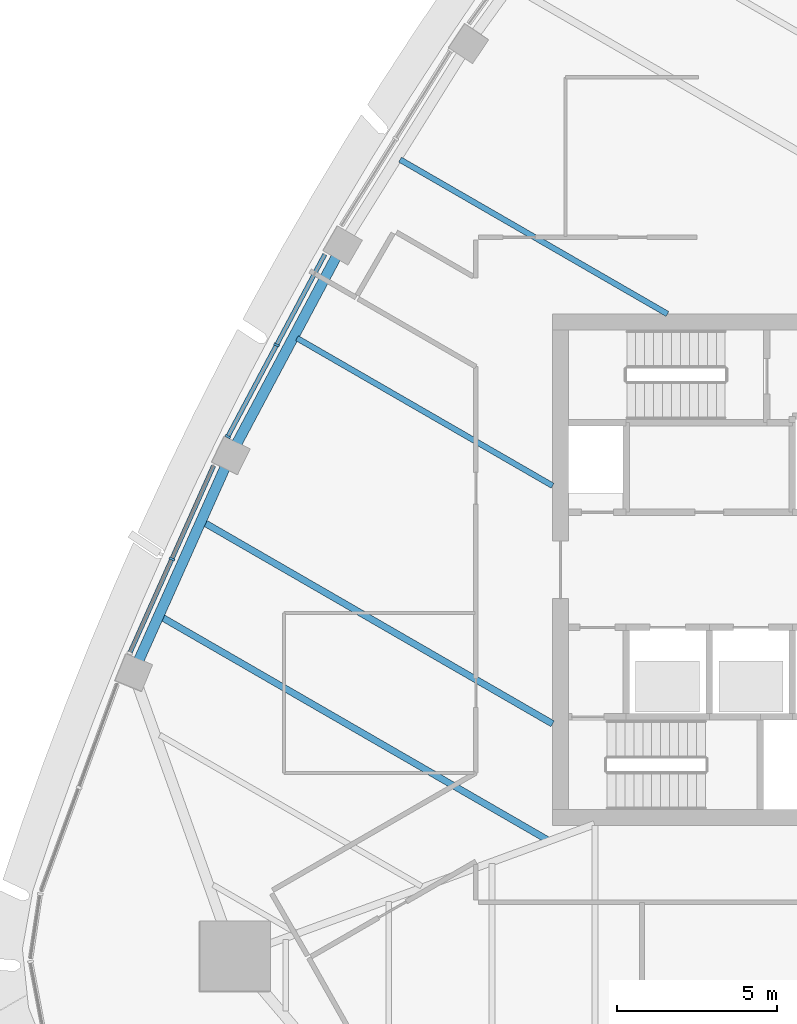
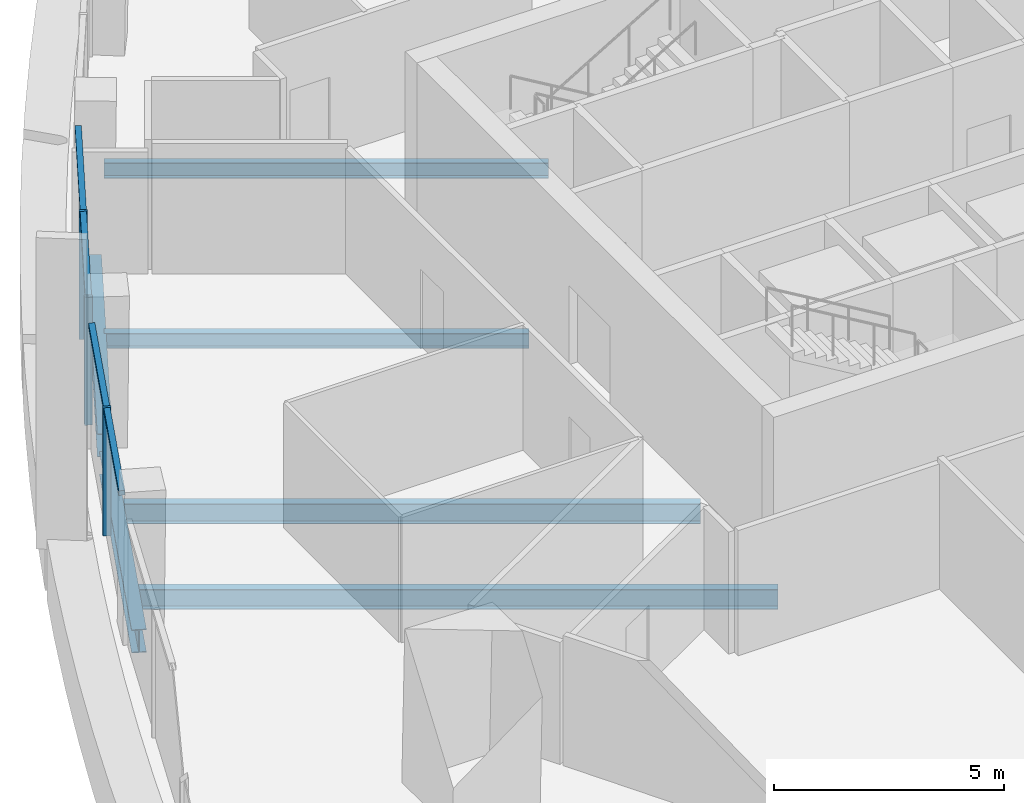
# One storey, part 3 of 18: 7 members, 6 beams, 2 elements without a shape of their own.
"""IFC4 building model written with IfcOpenShell, lengths in metres."""

from ifc_helpers import new_model, si_unit, direction, frame, origin, origin_2d, place, context, subcontext, project, spatial, rectangle, i_section, extrude, material, layer, layer_set, material_profile, profile_set, type_object, element, aggregate, save


model = new_model("IFC4")

# Units and contexts
model_context = context("Model", 3, precision=1e-05, world=origin(), true_north=direction((0.0, 1.0)))
body_context = subcontext(model_context, "Body", "Model", "MODEL_VIEW")
ifc_project = project(units=[si_unit("LENGTHUNIT", "METRE"), si_unit("AREAUNIT", "SQUARE_METRE"), si_unit("VOLUMEUNIT", "CUBIC_METRE"), si_unit("PLANEANGLEUNIT", "RADIAN"), si_unit("MASSUNIT", "GRAM", prefix="KILO")], contexts=[model_context])

# Site, building, storey
site_placement = place(None, origin())
site = spatial("IfcSite", under=ifc_project, at=site_placement, CompositionType="ELEMENT")
building_placement = place(site_placement, origin())
building = spatial("IfcBuilding", under=site, at=building_placement, Name="Sierra Prisma Convention Tower", CompositionType="ELEMENT")
storey_placement = place(building_placement, frame((0.0, 0.0, 279.0)))
storey = spatial("IfcBuildingStorey", under=building, at=storey_placement, Name="L63", CompositionType="ELEMENT", Elevation=279.0)

# Curtain wall, members
ifc_material_1 = material(Name="Aluminium and glass curtain wall", Category="aluminium")
ifc_layer = layer(ifc_material_1, 0.179931640625)
ifc_layer_set = layer_set([ifc_layer], Name="CW-1 Plain shaft curtain wall")
curtain_wall_type = type_object("IfcCurtainWallType", Name="CW-1 Plain shaft curtain wall", PredefinedType="NOTDEFINED", material=ifc_layer_set)
curtain_wall_1_placement = place(storey_placement, origin())
curtain_wall_1 = element("IfcCurtainWall", 1, at=curtain_wall_1_placement, inside=storey, type_object=curtain_wall_type, Name="CW-1 NW4 L63", PredefinedType="NOTDEFINED")
ifc_material_2 = material(Name="Aluminium 6063-T6 bronze anodised", Category="aluminium")
ifc_material_profile_1 = material_profile(ifc_material_2, rectangle(XDim=0.179931640625, YDim=0.070068359375, at=origin_2d()), Name="ALU MULLION 70x180")
ifc_profile_set_1 = profile_set([ifc_material_profile_1], Name="Aluminium 6063-T6 bronze anodised")
member_type_1 = type_object("IfcMemberType", Name="CW mullion bronze", PredefinedType="MULLION", material=ifc_profile_set_1)
member_1_placement = place(storey_placement, frame((-19.63134765625, 7.030029296875, 0.0), z_axis=(0.0, 0.0, 1.0), x_axis=(0.882685652189, -0.469963870335, 0.0)))
member_1 = element("IfcMember", 2, at=member_1_placement, type_object=member_type_1, Name="CW-1 mullion NW4.2", PredefinedType="MULLION", context=body_context, shape_type="SweptSolid", body=[
    extrude(rectangle(XDim=0.179931640625, YDim=0.070068359375, at=origin_2d()), origin(), (0.0, 0.0, 1.0), 3.39990234375),
])
member_2_placement = place(storey_placement, frame((-21.15625, 4.166015625, 0.0), z_axis=(0.0, 0.0, 1.0), x_axis=(0.882685652189, -0.469963870335, 0.0)))
member_2 = element("IfcMember", 3, at=member_2_placement, type_object=member_type_1, Name="CW-1 mullion NW4.3", PredefinedType="MULLION", context=body_context, shape_type="SweptSolid", body=[
    extrude(rectangle(XDim=0.179931640625, YDim=0.070068359375, at=origin_2d()), origin(), (0.0, 0.0, 1.0), 3.39990234375),
])

# Curtain wall, member
curtain_wall_2_placement = place(storey_placement, origin())
curtain_wall_2 = element("IfcCurtainWall", 4, at=curtain_wall_2_placement, inside=storey, type_object=curtain_wall_type, Name="CW-1 NW5 L63", PredefinedType="NOTDEFINED")
member_3_placement = place(storey_placement, frame((-22.906005859375, 0.3369140625, 0.0), z_axis=(0.0, 0.0, 1.0), x_axis=(0.912863722764, -0.408264404108, 0.0)))
member_3 = element("IfcMember", 5, at=member_3_placement, type_object=member_type_1, Name="CW-1 mullion NW5.2", PredefinedType="MULLION", context=body_context, shape_type="SweptSolid", body=[
    extrude(rectangle(XDim=0.179931640625, YDim=0.070068359375, at=origin_2d()), origin(), (0.0, 0.0, 1.0), 3.39990234375),
])

# Member
ifc_material_3 = material(Name="Aluminium 6063-T6 bronze anodised", Category="aluminium")
ifc_material_profile_2 = material_profile(ifc_material_3, rectangle(XDim=0.139892578125, YDim=0.1201171875, at=origin_2d()), Name="ALU TRANSOM 120x140")
ifc_profile_set_2 = profile_set([ifc_material_profile_2], Name="Aluminium 6063-T6 bronze anodised")
member_type_2 = type_object("IfcMemberType", Name="CW transom bronze", PredefinedType="USERDEFINED", material=ifc_profile_set_2)
member_4_placement = place(storey_placement, frame((-18.122802734375, 9.863037109375, 3.340087890625), z_axis=(-0.469953465277, -0.882691192023, 0.0), x_axis=(0.882691192023, -0.469953465277, 0.0)))
member_4 = element("IfcMember", 6, at=member_4_placement, type_object=member_type_2, Name="CW-1 transom NW4.1", ObjectType="TRANSOM", PredefinedType="USERDEFINED", context=body_context, shape_type="SweptSolid", body=[
    extrude(rectangle(XDim=0.139892578125, YDim=0.1201171875, at=origin_2d()), origin(), (0.0, 0.0, 1.0), 3.174560546875),
])

member_5_placement = place(storey_placement, frame((-19.647705078125, 6.9990234375, 3.340087890625), z_axis=(-0.469953465277, -0.882691192023, 0.0), x_axis=(0.882691192023, -0.469953465277, 0.0)))
member_5 = element("IfcMember", 7, at=member_5_placement, type_object=member_type_2, Name="CW-1 transom NW4.2", ObjectType="TRANSOM", PredefinedType="USERDEFINED", context=body_context, shape_type="SweptSolid", body=[
    extrude(rectangle(XDim=0.139892578125, YDim=0.1201171875, at=origin_2d()), origin(), (0.0, 0.0, 1.0), 3.174560546875),
])

aggregate(curtain_wall_1, [member_1, member_2, member_4, member_5])

member_6_placement = place(storey_placement, frame((-21.60205078125, 3.25244140625, 3.340087890625), z_axis=(-0.408310133966, -0.912843269406, 0.0), x_axis=(0.912843269406, -0.408310133966, 0.0)))
member_6 = element("IfcMember", 8, at=member_6_placement, type_object=member_type_2, Name="CW-1 transom NW5.1", ObjectType="TRANSOM", PredefinedType="USERDEFINED", context=body_context, shape_type="SweptSolid", body=[
    extrude(rectangle(XDim=0.139892578125, YDim=0.1201171875, at=origin_2d()), origin(), (0.0, 0.0, 1.0), 3.158935546875),
])

member_7_placement = place(storey_placement, frame((-22.92041015625, 0.304931640625, 3.340087890625), z_axis=(-0.408245728528, -0.912872074904, 0.0), x_axis=(0.912872074904, -0.408245728528, 0.0)))
member_7 = element("IfcMember", 9, at=member_7_placement, type_object=member_type_2, Name="CW-1 transom NW5.2", ObjectType="TRANSOM", PredefinedType="USERDEFINED", context=body_context, shape_type="SweptSolid", body=[
    extrude(rectangle(XDim=0.139892578125, YDim=0.1201171875, at=origin_2d()), origin(), (0.0, 0.0, 1.0), 3.15869140625),
])

aggregate(curtain_wall_2, [member_3, member_6, member_7])

# Beams
ifc_material_4 = material(Name="Steel ASTM A992 Gr 50", Category="steel")
ifc_material_profile_3 = material_profile(ifc_material_4, i_section(OverallWidth=0.177978515625, OverallDepth=0.406982421875, WebThickness=0.0078125, FlangeThickness=0.0126953125, at=origin_2d()), Name="W410x60")
ifc_profile_set_3 = profile_set([ifc_material_profile_3], Name="Steel ASTM A992 Gr 50")
beam_type_1 = type_object("IfcBeamType", Name="Floor joist W410x60", PredefinedType="JOIST", material=ifc_profile_set_3)
beam_1_placement = place(storey_placement, frame((-15.77001953125, 12.827392578125, -0.353515625), z_axis=(0.866026411352, -0.499998254837, 0.0), x_axis=(0.499998254837, 0.866026411352, 0.0)))
element("IfcBeam", 10, at=beam_1_placement, inside=storey, type_object=beam_type_1, Name="Floor joist L63 NW06", PredefinedType="JOIST", context=body_context, shape_type="SweptSolid", body=[
    extrude(i_section(OverallWidth=0.177978515625, OverallDepth=0.406982421875, WebThickness=0.0078125, FlangeThickness=0.0126953125, at=origin_2d()), origin(), (0.0, 0.0, 1.0), 9.65478515625),
])
beam_2_placement = place(storey_placement, frame((-18.993896484375, 7.243408203125, -0.353515625), z_axis=(0.866027463735, -0.499996432045, 0.0), x_axis=(0.499996432045, 0.866027463735, 0.0)))
element("IfcBeam", 11, at=beam_2_placement, inside=storey, type_object=beam_type_1, Name="Floor joist L63 NW08", PredefinedType="JOIST", context=body_context, shape_type="SweptSolid", body=[
    extrude(i_section(OverallWidth=0.177978515625, OverallDepth=0.406982421875, WebThickness=0.0078125, FlangeThickness=0.0126953125, at=origin_2d()), origin(), (0.0, 0.0, 1.0), 9.23046875),
])
ifc_material_5 = material(Name="Steel ASTM A992 Gr 50", Category="steel")
ifc_material_profile_4 = material_profile(ifc_material_5, i_section(OverallWidth=0.208984375, OverallDepth=0.532958984375, WebThickness=0.01025390625, FlangeThickness=0.015625, at=origin_2d()), Name="W530x92")
ifc_profile_set_4 = profile_set([ifc_material_profile_4], Name="Steel ASTM A992 Gr 50")
beam_type_2 = type_object("IfcBeamType", Name="Floor joist W530x92", PredefinedType="JOIST", material=ifc_profile_set_4)
beam_3_placement = place(storey_placement, frame((-21.891845703125, 1.471435546875, -0.41650390625), z_axis=(0.866019751484, -0.500009789943, 0.0), x_axis=(0.500009789943, 0.866019751484, 0.0)))
element("IfcBeam", 12, at=beam_3_placement, inside=storey, type_object=beam_type_2, Name="Floor joist L63 NW10", PredefinedType="JOIST", context=body_context, shape_type="SweptSolid", body=[
    extrude(i_section(OverallWidth=0.208984375, OverallDepth=0.532958984375, WebThickness=0.01025390625, FlangeThickness=0.015625, at=origin_2d()), origin(), (0.0, 0.0, 1.0), 12.576904296875),
])
beam_4_placement = place(storey_placement, frame((-23.215087890625, -1.4873046875, -0.41650390625), z_axis=(0.866021489901, -0.500006778983, 0.0), x_axis=(0.500006778983, 0.866021489901, 0.0)))
element("IfcBeam", 13, at=beam_4_placement, inside=storey, type_object=beam_type_2, Name="Floor joist L63 NW11", PredefinedType="JOIST", context=body_context, shape_type="SweptSolid", body=[
    extrude(i_section(OverallWidth=0.208984375, OverallDepth=0.532958984375, WebThickness=0.01025390625, FlangeThickness=0.015625, at=origin_2d()), origin(), (0.0, 0.0, 1.0), 13.924072265625),
])
ifc_material_6 = material(Name="Steel ASTM A992 Gr 50", Category="steel")
ifc_material_profile_5 = material_profile(ifc_material_6, i_section(OverallWidth=0.324951171875, OverallDepth=0.615966796875, WebThickness=0.013916015625, FlangeThickness=0.021484375, at=origin_2d()), Name="W610x174")
ifc_profile_set_5 = profile_set([ifc_material_profile_5], Name="Steel ASTM A992 Gr 50")
beam_type_3 = type_object("IfcBeamType", Name="Spandrel beam W610x174", PredefinedType="BEAM", material=ifc_profile_set_5)
beam_5_placement = place(storey_placement, frame((-17.730712890625, 9.85546875, -0.4580078125), z_axis=(-0.469945831966, -0.88269525603, 0.0), x_axis=(0.88269525603, -0.469945831966, 0.0)))
element("IfcBeam", 14, at=beam_5_placement, inside=storey, type_object=beam_type_3, Name="Spandrel L63-16", PredefinedType="BEAM", context=body_context, shape_type="SweptSolid", body=[
    extrude(i_section(OverallWidth=0.324951171875, OverallDepth=0.615966796875, WebThickness=0.013916015625, FlangeThickness=0.021484375, at=origin_2d()), origin(), (0.0, 0.0, 1.0), 6.786865234375),
])
beam_6_placement = place(storey_placement, frame((-21.210205078125, 3.271728515625, -0.4580078125), z_axis=(-0.408280082914, -0.912856710495, 0.0), x_axis=(0.912856710495, -0.408280082914, 0.0)))
element("IfcBeam", 15, at=beam_6_placement, inside=storey, type_object=beam_type_3, Name="Spandrel L63-17", PredefinedType="BEAM", context=body_context, shape_type="SweptSolid", body=[
    extrude(i_section(OverallWidth=0.324951171875, OverallDepth=0.615966796875, WebThickness=0.013916015625, FlangeThickness=0.021484375, at=origin_2d()), origin(), (0.0, 0.0, 1.0), 6.787109375),
])

save(model, "model.ifc")
